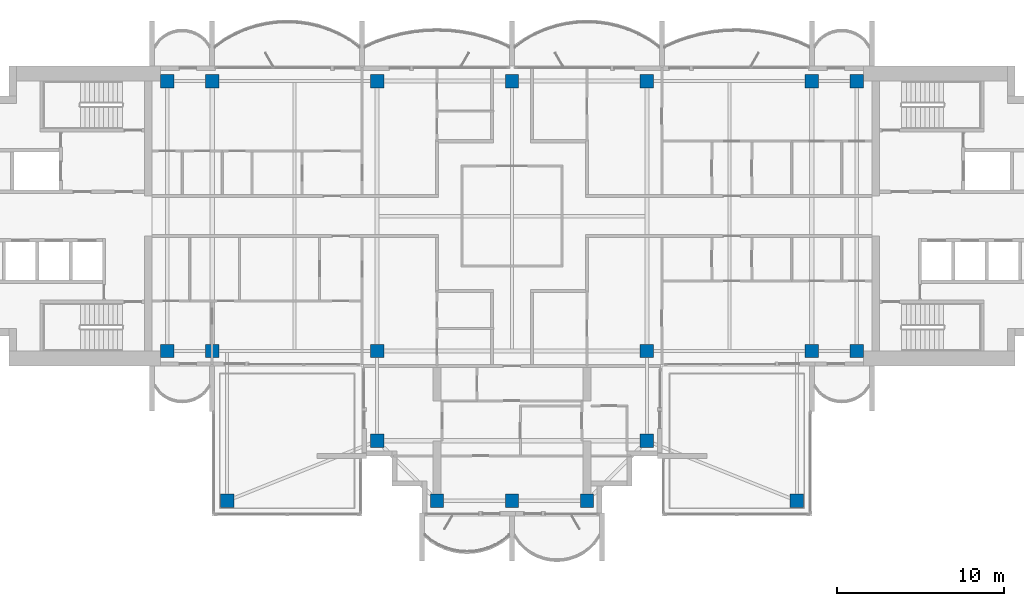
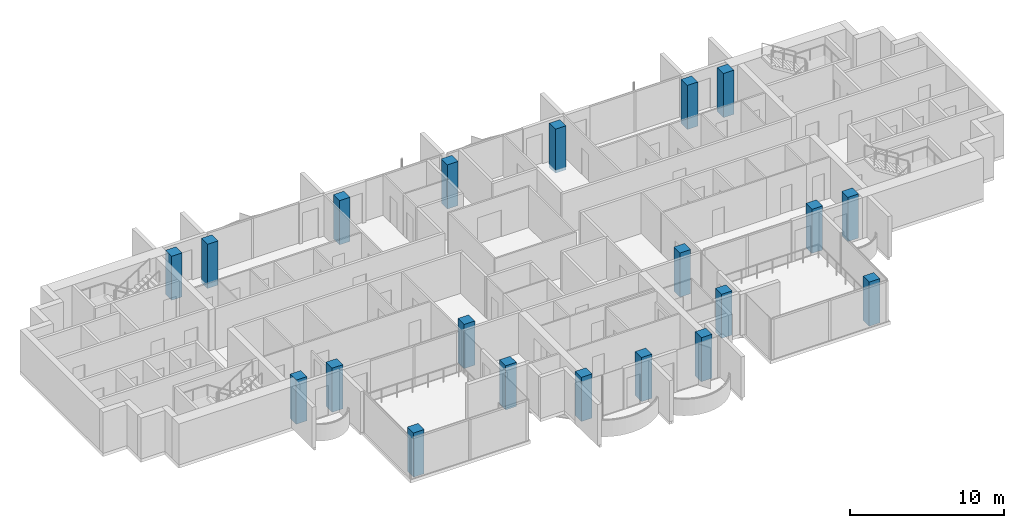
# One storey, part 1 of 16: 20 columns.
"""IFC4 building model written with IfcOpenShell, lengths in metres."""

import ifcopenshell
import ifcopenshell.guid

model = None  # the IFC model being written
_history = None  # IfcOwnerHistory: only IFC2X3 demands one
_inside = {}  # id of a spatial element -> (the spatial element, [elements in it])
_under = {}  # id of a project, library or spatial element -> (it, [spatial elements below it])
_declared = {}  # id of a project -> (the project, [libraries it declares])
_typed = {}  # id of a type object -> (the type object, [elements of that type])
_made_of = {}  # id of a material, layer set ... -> (it, [elements and type objects made of it])


def new_model(schema):
    """Start an empty IFC model of exactly this schema.

    Asked for "IFC4X3", IfcOpenShell would pick the latest addendum, in which some entities
    have other attributes; the version numbers below select the first issue.
    IFC2X3 requires an IfcOwnerHistory on every rooted entity: one is made here for all.
    """
    global model, _history
    if schema == "IFC4X3":
        model = ifcopenshell.file(schema_version=(4, 3, 0, 0))
    else:
        model = ifcopenshell.file(schema=schema)
    _inside.clear()
    _under.clear()
    _declared.clear()
    _typed.clear()
    _made_of.clear()
    _history = None
    if model.schema == "IFC2X3":
        org = make("IfcOrganization", Name="unknown")
        user = make(
            "IfcPersonAndOrganization",
            ThePerson=make("IfcPerson", FamilyName="unknown"),
            TheOrganization=org,
        )
        app = make(
            "IfcApplication",
            ApplicationDeveloper=org,
            Version="unknown",
            ApplicationFullName="unknown",
            ApplicationIdentifier="unknown",
        )
        _history = make(
            "IfcOwnerHistory",
            OwningUser=user,
            OwningApplication=app,
            ChangeAction="ADDED",
            CreationDate=0,
        )
    return model


def make(cls, **values):
    """One entity of the class cls with the attributes given. An attribute that is None is left unset."""
    return model.create_entity(
        cls, **{name: value for name, value in values.items() if value is not None}
    )


def rooted(cls, **values):
    """An entity with a GlobalId (a new one), such as an element, a storey or a relation."""
    return make(cls, GlobalId=ifcopenshell.guid.new(), OwnerHistory=_history, **values)


def si_unit(unit_type, name, prefix=None):
    """IfcSIUnit, for example si_unit("LENGTHUNIT", "METRE", prefix="MILLI")."""
    return make("IfcSIUnit", UnitType=unit_type, Prefix=prefix, Name=name)


def assignment(units):
    """IfcUnitAssignment: the units of a project."""
    return None if units is None else make("IfcUnitAssignment", Units=units)


def point(xyz):
    """IfcCartesianPoint."""
    return None if xyz is None else make("IfcCartesianPoint", Coordinates=xyz)


def direction(xyz):
    """IfcDirection."""
    return None if xyz is None else make("IfcDirection", DirectionRatios=xyz)


def frame(location, z_axis=None, x_axis=None):
    """IfcAxis2Placement3D, a coordinate frame: its origin and axes. An axis left out is left unset."""
    return make(
        "IfcAxis2Placement3D",
        Location=point(location),
        Axis=direction(z_axis),
        RefDirection=direction(x_axis),
    )


def frame_2d(location, x_axis=None):
    """IfcAxis2Placement2D, a coordinate frame in the plane: its origin and x axis."""
    return make(
        "IfcAxis2Placement2D", Location=point(location), RefDirection=direction(x_axis)
    )


def origin():
    """The frame at (0, 0, 0) with its axes left unset."""
    return frame((0.0, 0.0, 0.0))


def origin_2d():
    """The frame at (0, 0) in the plane with its x axis left unset."""
    return frame_2d((0.0, 0.0))


def place(relative_to, where):
    """IfcLocalPlacement: puts the frame where relative to a parent placement (None: the world)."""
    return make(
        "IfcLocalPlacement", PlacementRelTo=relative_to, RelativePlacement=where
    )


def context(
    kind, dimensions, precision=None, world=None, true_north=None, identifier=None
):
    """IfcGeometricRepresentationContext, for example the 3D "Model" context."""
    return make(
        "IfcGeometricRepresentationContext",
        ContextIdentifier=identifier,
        ContextType=kind,
        CoordinateSpaceDimension=dimensions,
        Precision=precision,
        WorldCoordinateSystem=world,
        TrueNorth=true_north,
    )


def subcontext(parent, identifier, kind, view, scale=None):
    """IfcGeometricRepresentationSubContext, for example "Body" below "Model"."""
    return make(
        "IfcGeometricRepresentationSubContext",
        ContextIdentifier=identifier,
        ContextType=kind,
        ParentContext=parent,
        TargetScale=scale,
        TargetView=view,
    )


def project(units=None, contexts=None):
    """IfcProject with its units and contexts."""
    return rooted(
        "IfcProject",
        Name="project",
        RepresentationContexts=contexts,
        UnitsInContext=assignment(units),
    )


def spatial(cls, under=None, at=None, **own):
    """A site, building, storey or space (cls), placed at a placement, below another one or the project."""
    s = rooted(cls, ObjectPlacement=at, **own)
    if under is not None:
        _under.setdefault(under.id(), (under, []))[1].append(s)
    return s


def profile(cls, at=None, kind="AREA", **sizes):
    """A parametric profile (cls). Its sizes go by their IFC names, for example OverallWidth=200.0."""
    return make(cls, ProfileType=kind, Position=at, **sizes)


def rectangle(**sizes):
    """IfcRectangleProfileDef."""
    return profile("IfcRectangleProfileDef", **sizes)


def extrude(swept, where, along, depth):
    """IfcExtrudedAreaSolid: the profile swept, set in the frame where, extruded along a direction by depth."""
    return make(
        "IfcExtrudedAreaSolid",
        SweptArea=swept,
        Position=where,
        ExtrudedDirection=direction(along),
        Depth=depth,
    )


def shape(context_of_items, identifier, shape_type, items):
    """IfcShapeRepresentation: the items that make up one representation, for example the "Body"."""
    return make(
        "IfcShapeRepresentation",
        ContextOfItems=context_of_items,
        RepresentationIdentifier=identifier,
        RepresentationType=shape_type,
        Items=items,
    )


def material(Name=None, Category=None):
    """IfcMaterial."""
    return make("IfcMaterial", Name=Name, Category=Category)


def material_profile(
    of_material, cross_section, Name=None, Category=None, Priority=None
):
    """IfcMaterialProfile: a cross section and its material."""
    return make(
        "IfcMaterialProfile",
        Name=Name,
        Material=of_material,
        Profile=cross_section,
        Priority=Priority,
        Category=Category,
    )


def profile_set(profiles, Name=None, composite=None):
    """IfcMaterialProfileSet."""
    return make(
        "IfcMaterialProfileSet",
        Name=Name,
        MaterialProfiles=profiles,
        CompositeProfile=composite,
    )


def made_of(thing, what):
    """Note that an element or type object is made of a material, layer set ...; save() writes the relation."""
    if what is not None:
        _made_of.setdefault(what.id(), (what, []))[1].append(thing)
    return thing


def type_object(cls, material=None, **own):
    """A type object (cls), such as IfcWallType, which elements share."""
    return made_of(rooted(cls, **own), material)


def element(
    cls,
    number,
    at=None,
    inside=None,
    cuts=None,
    type_object=None,
    material=None,
    context=None,
    identifier="Body",
    shape_type=None,
    held_by="IfcProductDefinitionShape",
    body=None,
    shapes=None,
    **own,
):
    """One element of the class cls, such as IfcWall. Its Tag is "e" and its number.

    at: its placement. inside: the storey or other place that contains it. cuts: it is an
    opening in that element (IfcRelVoidsElement). A single representation is given by context,
    identifier, shape_type and body (its items); several are given by shapes. held_by: the class
    of the entity that holds the representations. save() writes the other relations.
    """
    e = rooted(cls, Tag="e%d" % number, ObjectPlacement=at, **own)
    if body is not None:
        shapes = [shape(context, identifier, shape_type, body)]
    if shapes is not None:
        e.Representation = make(held_by, Representations=shapes)
    if inside is not None:
        _inside.setdefault(inside.id(), (inside, []))[1].append(e)
    if cuts is not None:
        rooted(
            "IfcRelVoidsElement", RelatingBuildingElement=cuts, RelatedOpeningElement=e
        )
    if type_object is not None:
        _typed.setdefault(type_object.id(), (type_object, []))[1].append(e)
    return made_of(e, material)


def aggregate(whole, parts):
    """IfcRelAggregates: a whole, such as a stair, and the parts it consists of."""
    return rooted("IfcRelAggregates", RelatingObject=whole, RelatedObjects=parts)


def save(model, path):
    """Write the relations noted so far, then the file.

    IfcRelAggregates (storeys below a building ...), IfcRelContainedInSpatialStructure (elements
    in a storey), IfcRelDefinesByType, IfcRelAssociatesMaterial and IfcRelDeclares: one each for
    every whole, place, type object, material and project.
    """
    for whole, parts in _under.values():
        aggregate(whole, parts)
    for where, things in _inside.values():
        rooted(
            "IfcRelContainedInSpatialStructure",
            RelatedElements=things,
            RelatingStructure=where,
        )
    for kind, things in _typed.values():
        rooted("IfcRelDefinesByType", RelatedObjects=things, RelatingType=kind)
    for what, things in _made_of.values():
        rooted("IfcRelAssociatesMaterial", RelatedObjects=things, RelatingMaterial=what)
    for by, libraries in _declared.values():
        rooted("IfcRelDeclares", RelatingContext=by, RelatedDefinitions=libraries)
    model.write(path)


model = new_model("IFC4")

# Units and contexts
model_context = context("Model", 3, precision=1e-05, world=origin(), true_north=direction((0.0, 1.0)))
body_context = subcontext(model_context, "Body", "Model", "MODEL_VIEW")
ifc_project = project(units=[si_unit("LENGTHUNIT", "METRE"), si_unit("AREAUNIT", "SQUARE_METRE"), si_unit("VOLUMEUNIT", "CUBIC_METRE"), si_unit("PLANEANGLEUNIT", "RADIAN"), si_unit("MASSUNIT", "GRAM", prefix="KILO")], contexts=[model_context])

# Site, building, storey
site_placement = place(None, origin())
site = spatial("IfcSite", under=ifc_project, at=site_placement, CompositionType="ELEMENT")
building_placement = place(site_placement, origin())
building = spatial("IfcBuilding", under=site, at=building_placement, Name="Perihelion Cross Residences", CompositionType="ELEMENT")
storey_placement = place(building_placement, frame((0.0, 0.0, 246.5)))
storey = spatial("IfcBuildingStorey", under=building, at=storey_placement, Name="L62", CompositionType="ELEMENT", Elevation=246.5)

# Columns
ifc_material = material(Name="Concrete C50/60", Category="concrete")
ifc_material_profile = material_profile(ifc_material, rectangle(XDim=0.800048828125, YDim=0.800048828125, at=origin_2d()), Name="RC 800x800")
ifc_profile_set = profile_set([ifc_material_profile], Name="Concrete C50/60")
column_type = type_object("IfcColumnType", Name="Reinforced concrete column 800x800 C50/60", PredefinedType="COLUMN", material=ifc_profile_set)
for number, where, z_axis, x_axis, name in (
    (1, (-20.699951171875, -8.10009765625, -0.25), (0.0, 0.0, 1.0), (1.0, 0.0, 0.0), "Column C017 L62 no. 1"),
    (2, (-20.699951171875, 8.10009765625, -0.25), (0.0, 0.0, 1.0), (1.0, 0.0, 0.0), "Column C010 L62 no. 1"),
    (3, (-18.0, -8.10009765625, -0.25), (0.0, 0.0, 1.0), (1.0, 0.0, 0.0), "Column C018 L62 no. 1"),
    (4, (-18.0, 8.10009765625, -0.25), (0.0, 0.0, 1.0), (1.0, 0.0, 0.0), "Column C011 L62 no. 1"),
    (5, (-8.10009765625, -13.5, -0.25), (0.0, 0.0, 1.0), (1.0, 0.0, 0.0), "Column C025 L62 no. 1"),
    (6, (-8.10009765625, -8.10009765625, -0.25), (0.0, 0.0, 1.0), (1.0, 0.0, 0.0), "Column C019 L62 no. 1"),
    (7, (-8.10009765625, 8.10009765625, -0.25), (0.0, 0.0, 1.0), (1.0, 0.0, 0.0), "Column C012 L62 no. 1"),
    (8, (-4.5, -17.10009765625, -0.25), (0.0, 0.0, 1.0), (1.0, 0.0, 0.0), "Column C032 L62 no. 1"),
    (9, (0.0, -17.10009765625, -0.25), (0.0, 0.0, 1.0), (1.0, 0.0, 0.0), "Column C033 L62 no. 1"),
    (10, (0.0, 8.10009765625, -0.25), (0.0, 0.0, 1.0), (1.0, 0.0, 0.0), "Column C013 L62 no. 1"),
    (11, (4.5, -17.10009765625, -0.25), (0.0, 0.0, 1.0), (1.0, 0.0, 0.0), "Column C034 L62 no. 1"),
    (12, (8.10009765625, -13.5, -0.25), (0.0, 0.0, 1.0), (1.0, 0.0, 0.0), "Column C029 L62 no. 1"),
    (13, (8.10009765625, -8.10009765625, -0.25), (0.0, 0.0, 1.0), (1.0, 0.0, 0.0), "Column C020 L62 no. 1"),
    (14, (8.10009765625, 8.10009765625, -0.25), (0.0, 0.0, 1.0), (1.0, 0.0, 0.0), "Column C014 L62 no. 1"),
    (15, (18.0, -8.10009765625, -0.25), (0.0, 0.0, 1.0), (1.0, 0.0, 0.0), "Column C021 L62 no. 1"),
    (16, (18.0, 8.10009765625, -0.25), (0.0, 0.0, 1.0), (1.0, 0.0, 0.0), "Column C015 L62 no. 1"),
    (17, (20.699951171875, -8.10009765625, -0.25), (0.0, 0.0, 1.0), (1.0, 0.0, 0.0), "Column C022 L62 no. 1"),
    (18, (20.699951171875, 8.10009765625, -0.25), (0.0, 0.0, 1.0), (1.0, 0.0, 0.0), "Column C016 L62 no. 1"),
    (19, (-17.10009765625, -17.10009765625, -0.25), (0.0, 0.0, 1.0), (1.0, 0.0, 0.0), "Column C030 L62 no. 1"),
    (20, (17.10009765625, -17.10009765625, -0.25), (0.0, 0.0, 1.0), (1.0, 0.0, 0.0), "Column C036 L62 no. 1"),
):
    element("IfcColumn", number, at=place(storey_placement, frame(where, z_axis=z_axis, x_axis=x_axis)), inside=storey, type_object=column_type, Name=name, PredefinedType="COLUMN", context=body_context, shape_type="SweptSolid", body=[
        extrude(rectangle(XDim=0.800048828125, YDim=0.800048828125, at=origin_2d()), origin(), (0.0, 0.0, 1.0), 3.5),
    ])

save(model, "model.ifc")
